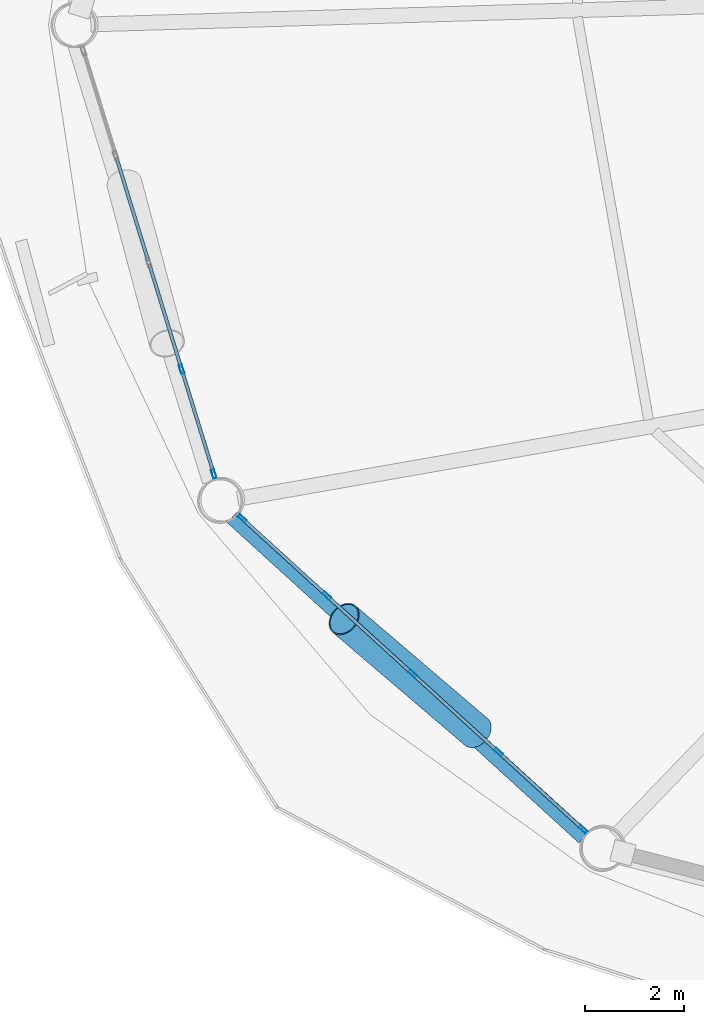
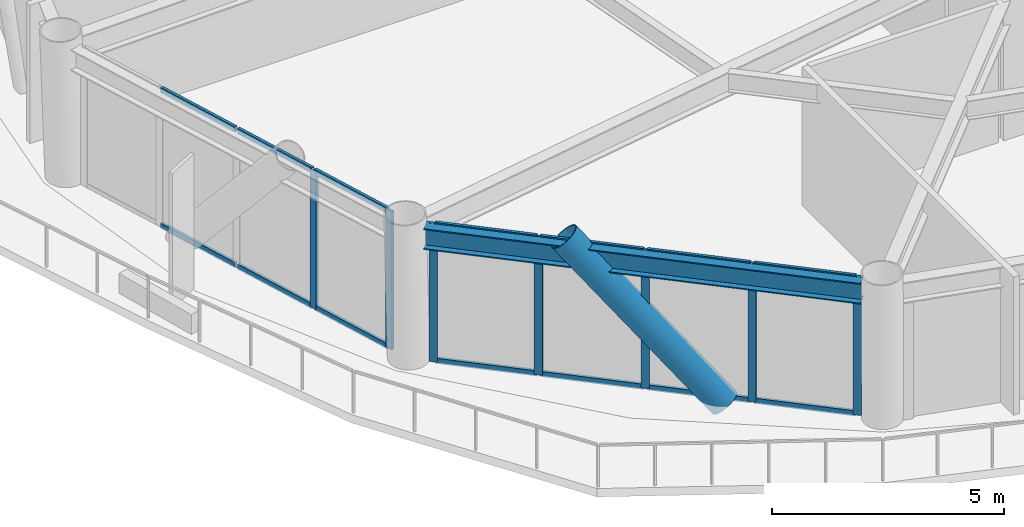
# One storey, part 2 of 25: 22 members, 1 beam, 2 elements without a shape of their own.
"""IFC4 building model written with IfcOpenShell, lengths in metres."""

from ifc_helpers import new_model, si_unit, direction, frame, origin, origin_2d, place, context, subcontext, project, spatial, hollow_rectangle, hollow_circle, i_section, extrude, material, layer, layer_set, material_profile, profile_set, type_object, element, aggregate, save


model = new_model("IFC4")

# Units and contexts
model_context = context("Model", 3, precision=1e-05, world=origin(), true_north=direction((0.0, 1.0)))
body_context = subcontext(model_context, "Body", "Model", "MODEL_VIEW")
ifc_project = project(units=[si_unit("LENGTHUNIT", "METRE"), si_unit("AREAUNIT", "SQUARE_METRE"), si_unit("VOLUMEUNIT", "CUBIC_METRE"), si_unit("PLANEANGLEUNIT", "RADIAN"), si_unit("MASSUNIT", "GRAM", prefix="KILO")], contexts=[model_context])

# Site, building, storey
site_placement = place(None, origin())
site = spatial("IfcSite", under=ifc_project, at=site_placement, CompositionType="ELEMENT")
building_placement = place(site_placement, origin())
building = spatial("IfcBuilding", under=site, at=building_placement, Name="Varnakorn Sky Granary", CompositionType="ELEMENT")
storey_placement = place(building_placement, frame((0.0, 0.0, 54.89990234375)))
storey = spatial("IfcBuildingStorey", under=building, at=storey_placement, Name="L13", CompositionType="ELEMENT", Elevation=54.89990234375)

# Beam
ifc_material_1 = material(Name="Steel S355JR", Category="steel")
ifc_material_profile_1 = material_profile(ifc_material_1, i_section(OverallWidth=0.300048828125, OverallDepth=0.550048828125, WebThickness=0.014892578125, FlangeThickness=0.029052734375, at=origin_2d()), Name="HE 550 B")
ifc_profile_set_1 = profile_set([ifc_material_profile_1], Name="Steel S355JR")
beam_type = type_object("IfcBeamType", Name="BM-SPD-Z1", PredefinedType="SPANDREL", material=ifc_profile_set_1)
beam_placement = place(storey_placement, frame((-19.578857421875, -9.97509765625, 3.364990234375), z_axis=(0.739343732642, -0.673328185213, 0.0), x_axis=(0.673328185213, 0.739343732642, 0.0)))
element("IfcBeam", 1, at=beam_placement, inside=storey, type_object=beam_type, Name="Perimeter Spandrel Ring Beam RB08 L13", PredefinedType="SPANDREL", context=body_context, shape_type="SweptSolid", body=[
    extrude(i_section(OverallWidth=0.300048828125, OverallDepth=0.550048828125, WebThickness=0.014892578125, FlangeThickness=0.029052734375, at=origin_2d()), origin(), (0.0, 0.0, 1.0), 9.6376953125),
])

# Curtain wall, members
ifc_material_2 = material(Name="Anodised Bronze Aluminium Alloy 6063-T6", Category="aluminium")
ifc_layer = layer(ifc_material_2, 0.18994140625, Name="Anodised Bronze Aluminium Alloy 6063-T6")
ifc_layer_set = layer_set([ifc_layer], Name="Anodised Bronze Aluminium Alloy 6063-T6")
curtain_wall_type = type_object("IfcCurtainWallType", Name="CW-FRM-1", PredefinedType="USERDEFINED", material=ifc_layer_set)
curtain_wall_1_placement = place(storey_placement, origin())
curtain_wall_1 = element("IfcCurtainWall", 2, at=curtain_wall_1_placement, inside=storey, type_object=curtain_wall_type, Name="Unitised Curtain Wall CW3 CW-L13-B07", ObjectType="CURTAIN WALL", PredefinedType="USERDEFINED")
ifc_material_profile_2 = material_profile(ifc_material_2, hollow_rectangle(XDim=0.070068359375, YDim=0.18505859375, WallThickness=0.00390625, at=origin_2d()), Name="ALU MULL 70x185")
ifc_profile_set_2 = profile_set([ifc_material_profile_2], Name="Anodised Bronze Aluminium Alloy 6063-T6")
member_type_1 = type_object("IfcMemberType", Name="CW-FRM-1-MULL", PredefinedType="MULLION", material=ifc_profile_set_2)
member_1_placement = place(storey_placement, frame((-19.9521484375, -9.098388671875, 0.0), z_axis=(0.0, 0.0, 1.0), x_axis=(-0.955710084945, -0.294309757797, 0.0)))
member_1 = element("IfcMember", 3, at=member_1_placement, type_object=member_type_1, Name="CW3 mullion 1", PredefinedType="MULLION", context=body_context, shape_type="SweptSolid", body=[
    extrude(hollow_rectangle(XDim=0.070068359375, YDim=0.18505859375, WallThickness=0.00390625, at=origin_2d()), origin(), (0.0, 0.0, 1.0), 3.64013671875),
])
member_2_placement = place(storey_placement, frame((-20.606689453125, -6.972412109375, 0.0), z_axis=(0.0, 0.0, 1.0), x_axis=(-0.955710084945, -0.294309757797, 0.0)))
member_2 = element("IfcMember", 4, at=member_2_placement, type_object=member_type_1, Name="CW3 mullion 2", PredefinedType="MULLION", context=body_context, shape_type="SweptSolid", body=[
    extrude(hollow_rectangle(XDim=0.070068359375, YDim=0.18505859375, WallThickness=0.00390625, at=origin_2d()), origin(), (0.0, 0.0, 1.0), 3.64013671875),
])

curtain_wall_2_placement = place(storey_placement, origin())
curtain_wall_2 = element("IfcCurtainWall", 5, at=curtain_wall_2_placement, inside=storey, type_object=curtain_wall_type, Name="Unitised Curtain Wall CW3 CW-L13-B08", ObjectType="CURTAIN WALL", PredefinedType="USERDEFINED")
member_3_placement = place(storey_placement, frame((-12.467529296875, -16.30078125, 0.0), z_axis=(0.0, 0.0, 1.0), x_axis=(-0.673686552194, -0.739017205072, 0.0)))
member_3 = element("IfcMember", 6, at=member_3_placement, type_object=member_type_1, Name="CW3 mullion 1", PredefinedType="MULLION", context=body_context, shape_type="SweptSolid", body=[
    extrude(hollow_rectangle(XDim=0.070068359375, YDim=0.18505859375, WallThickness=0.00390625, at=origin_2d()), origin(), (0.0, 0.0, 1.0), 3.64013671875),
])
member_4_placement = place(storey_placement, frame((-14.18310546875, -14.73681640625, 0.0), z_axis=(0.0, 0.0, 1.0), x_axis=(-0.673686552194, -0.739017205072, 0.0)))
member_4 = element("IfcMember", 7, at=member_4_placement, type_object=member_type_1, Name="CW3 mullion 2", PredefinedType="MULLION", context=body_context, shape_type="SweptSolid", body=[
    extrude(hollow_rectangle(XDim=0.070068359375, YDim=0.18505859375, WallThickness=0.00390625, at=origin_2d()), origin(), (0.0, 0.0, 1.0), 3.64013671875),
])
member_5_placement = place(storey_placement, frame((-15.924560546875, -13.1494140625, 0.0), z_axis=(0.0, 0.0, 1.0), x_axis=(-0.673686552194, -0.739017205072, 0.0)))
member_5 = element("IfcMember", 8, at=member_5_placement, type_object=member_type_1, Name="CW3 mullion 3", PredefinedType="MULLION", context=body_context, shape_type="SweptSolid", body=[
    extrude(hollow_rectangle(XDim=0.070068359375, YDim=0.18505859375, WallThickness=0.00390625, at=origin_2d()), origin(), (0.0, 0.0, 1.0), 3.64013671875),
])
member_6_placement = place(storey_placement, frame((-17.666015625, -11.561767578125, 0.0), z_axis=(0.0, 0.0, 1.0), x_axis=(-0.673686552194, -0.739017205072, 0.0)))
member_6 = element("IfcMember", 9, at=member_6_placement, type_object=member_type_1, Name="CW3 mullion 4", PredefinedType="MULLION", context=body_context, shape_type="SweptSolid", body=[
    extrude(hollow_rectangle(XDim=0.070068359375, YDim=0.18505859375, WallThickness=0.00390625, at=origin_2d()), origin(), (0.0, 0.0, 1.0), 3.64013671875),
])
member_7_placement = place(storey_placement, frame((-19.381591796875, -9.997802734375, 0.0), z_axis=(0.0, 0.0, 1.0), x_axis=(-0.673686552194, -0.739017205072, 0.0)))
member_7 = element("IfcMember", 10, at=member_7_placement, type_object=member_type_1, Name="CW3 mullion 5", PredefinedType="MULLION", context=body_context, shape_type="SweptSolid", body=[
    extrude(hollow_rectangle(XDim=0.070068359375, YDim=0.18505859375, WallThickness=0.00390625, at=origin_2d()), origin(), (0.0, 0.0, 1.0), 3.64013671875),
])

# Member
ifc_material_profile_3 = material_profile(ifc_material_2, hollow_rectangle(XDim=0.070068359375, YDim=0.139892578125, WallThickness=0.00341796875, at=origin_2d()), Name="ALU TRAN 70x140")
ifc_profile_set_3 = profile_set([ifc_material_profile_3], Name="Anodised Bronze Aluminium Alloy 6063-T6")
member_type_2 = type_object("IfcMemberType", Name="CW-FRM-1-TRAN", PredefinedType="USERDEFINED", material=ifc_profile_set_3)
member_8_placement = place(storey_placement, frame((-19.96240234375, -9.06494140625, 0.03515625), z_axis=(-0.294284913313, 0.95571773542, 0.0), x_axis=(-0.95571773542, -0.294284913313, 0.0)))
member_8 = element("IfcMember", 11, at=member_8_placement, type_object=member_type_2, Name="CW3 transom 1.1", ObjectType="TRANSOM", PredefinedType="USERDEFINED", context=body_context, shape_type="SweptSolid", body=[
    extrude(hollow_rectangle(XDim=0.070068359375, YDim=0.139892578125, WallThickness=0.00341796875, at=origin_2d()), origin(), (0.0, 0.0, 1.0), 2.154541015625),
])

member_9_placement = place(storey_placement, frame((-19.96240234375, -9.06494140625, 3.60498046875), z_axis=(-0.294284913313, 0.95571773542, 0.0), x_axis=(-0.95571773542, -0.294284913313, 0.0)))
member_9 = element("IfcMember", 12, at=member_9_placement, type_object=member_type_2, Name="CW3 transom 1.2", ObjectType="TRANSOM", PredefinedType="USERDEFINED", context=body_context, shape_type="SweptSolid", body=[
    extrude(hollow_rectangle(XDim=0.070068359375, YDim=0.139892578125, WallThickness=0.00341796875, at=origin_2d()), origin(), (0.0, 0.0, 1.0), 2.154541015625),
])

member_10_placement = place(storey_placement, frame((-20.6171875, -6.93896484375, 0.03515625), z_axis=(-0.294266062474, 0.955723539773, 0.0), x_axis=(-0.955723539773, -0.294266062474, 0.0)))
member_10 = element("IfcMember", 13, at=member_10_placement, type_object=member_type_2, Name="CW3 transom 2.1", ObjectType="TRANSOM", PredefinedType="USERDEFINED", context=body_context, shape_type="SweptSolid", body=[
    extrude(hollow_rectangle(XDim=0.070068359375, YDim=0.139892578125, WallThickness=0.00341796875, at=origin_2d()), origin(), (0.0, 0.0, 1.0), 2.189453125),
])

member_11_placement = place(storey_placement, frame((-20.6171875, -6.93896484375, 3.60498046875), z_axis=(-0.294266062474, 0.955723539773, 0.0), x_axis=(-0.955723539773, -0.294266062474, 0.0)))
member_11 = element("IfcMember", 14, at=member_11_placement, type_object=member_type_2, Name="CW3 transom 2.2", ObjectType="TRANSOM", PredefinedType="USERDEFINED", context=body_context, shape_type="SweptSolid", body=[
    extrude(hollow_rectangle(XDim=0.070068359375, YDim=0.139892578125, WallThickness=0.00341796875, at=origin_2d()), origin(), (0.0, 0.0, 1.0), 2.189453125),
])

member_12_placement = place(storey_placement, frame((-21.281982421875, -4.779541015625, 0.03515625), z_axis=(-0.294367908473, 0.955692175578, 0.0), x_axis=(-0.955692175578, -0.294367908473, 0.0)))
member_12 = element("IfcMember", 15, at=member_12_placement, type_object=member_type_2, Name="CW3 transom 3.1", ObjectType="TRANSOM", PredefinedType="USERDEFINED", context=body_context, shape_type="SweptSolid", body=[
    extrude(hollow_rectangle(XDim=0.070068359375, YDim=0.139892578125, WallThickness=0.00341796875, at=origin_2d()), origin(), (0.0, 0.0, 1.0), 2.189453125),
])

member_13_placement = place(storey_placement, frame((-21.281982421875, -4.779541015625, 3.60498046875), z_axis=(-0.294367908473, 0.955692175578, 0.0), x_axis=(-0.955692175578, -0.294367908473, 0.0)))
member_13 = element("IfcMember", 16, at=member_13_placement, type_object=member_type_2, Name="CW3 transom 3.2", ObjectType="TRANSOM", PredefinedType="USERDEFINED", context=body_context, shape_type="SweptSolid", body=[
    extrude(hollow_rectangle(XDim=0.070068359375, YDim=0.139892578125, WallThickness=0.00341796875, at=origin_2d()), origin(), (0.0, 0.0, 1.0), 2.189453125),
])

aggregate(curtain_wall_1, [member_1, member_2, member_8, member_9, member_10, member_11, member_12, member_13])

member_14_placement = place(storey_placement, frame((-12.493408203125, -16.27734375, 0.03515625), z_axis=(-0.738992363836, 0.673713801396, 0.0), x_axis=(-0.673713801396, -0.738992363836, 0.0)))
member_14 = element("IfcMember", 17, at=member_14_placement, type_object=member_type_2, Name="CW3 transom 1.1", ObjectType="TRANSOM", PredefinedType="USERDEFINED", context=body_context, shape_type="SweptSolid", body=[
    extrude(hollow_rectangle(XDim=0.070068359375, YDim=0.139892578125, WallThickness=0.00341796875, at=origin_2d()), origin(), (0.0, 0.0, 1.0), 2.25146484375),
])

member_15_placement = place(storey_placement, frame((-12.493408203125, -16.27734375, 3.60498046875), z_axis=(-0.738992363836, 0.673713801396, 0.0), x_axis=(-0.673713801396, -0.738992363836, 0.0)))
member_15 = element("IfcMember", 18, at=member_15_placement, type_object=member_type_2, Name="CW3 transom 1.2", ObjectType="TRANSOM", PredefinedType="USERDEFINED", context=body_context, shape_type="SweptSolid", body=[
    extrude(hollow_rectangle(XDim=0.070068359375, YDim=0.139892578125, WallThickness=0.00341796875, at=origin_2d()), origin(), (0.0, 0.0, 1.0), 2.25146484375),
])

member_16_placement = place(storey_placement, frame((-14.208984375, -14.71337890625, 0.03515625), z_axis=(-0.738973042279, 0.673734994478, 0.0), x_axis=(-0.673734994478, -0.738973042279, 0.0)))
member_16 = element("IfcMember", 19, at=member_16_placement, type_object=member_type_2, Name="CW3 transom 2.1", ObjectType="TRANSOM", PredefinedType="USERDEFINED", context=body_context, shape_type="SweptSolid", body=[
    extrude(hollow_rectangle(XDim=0.070068359375, YDim=0.139892578125, WallThickness=0.00341796875, at=origin_2d()), origin(), (0.0, 0.0, 1.0), 2.28662109375),
])

member_17_placement = place(storey_placement, frame((-14.208984375, -14.71337890625, 3.60498046875), z_axis=(-0.738973042279, 0.673734994478, 0.0), x_axis=(-0.673734994478, -0.738973042279, 0.0)))
member_17 = element("IfcMember", 20, at=member_17_placement, type_object=member_type_2, Name="CW3 transom 2.2", ObjectType="TRANSOM", PredefinedType="USERDEFINED", context=body_context, shape_type="SweptSolid", body=[
    extrude(hollow_rectangle(XDim=0.070068359375, YDim=0.139892578125, WallThickness=0.00341796875, at=origin_2d()), origin(), (0.0, 0.0, 1.0), 2.28662109375),
])

member_18_placement = place(storey_placement, frame((-15.950439453125, -13.125732421875, 0.03515625), z_axis=(-0.739026202882, 0.673676681691, 0.0), x_axis=(-0.673676681691, -0.739026202882, 0.0)))
member_18 = element("IfcMember", 21, at=member_18_placement, type_object=member_type_2, Name="CW3 transom 3.1", ObjectType="TRANSOM", PredefinedType="USERDEFINED", context=body_context, shape_type="SweptSolid", body=[
    extrude(hollow_rectangle(XDim=0.070068359375, YDim=0.139892578125, WallThickness=0.00341796875, at=origin_2d()), origin(), (0.0, 0.0, 1.0), 2.286376953125),
])

member_19_placement = place(storey_placement, frame((-15.950439453125, -13.125732421875, 3.60498046875), z_axis=(-0.739026202882, 0.673676681691, 0.0), x_axis=(-0.673676681691, -0.739026202882, 0.0)))
member_19 = element("IfcMember", 22, at=member_19_placement, type_object=member_type_2, Name="CW3 transom 3.2", ObjectType="TRANSOM", PredefinedType="USERDEFINED", context=body_context, shape_type="SweptSolid", body=[
    extrude(hollow_rectangle(XDim=0.070068359375, YDim=0.139892578125, WallThickness=0.00341796875, at=origin_2d()), origin(), (0.0, 0.0, 1.0), 2.286376953125),
])

member_20_placement = place(storey_placement, frame((-17.69189453125, -11.538330078125, 0.03515625), z_axis=(-0.738992363836, 0.673713801396, 0.0), x_axis=(-0.673713801396, -0.738992363836, 0.0)))
member_20 = element("IfcMember", 23, at=member_20_placement, type_object=member_type_2, Name="CW3 transom 4.1", ObjectType="TRANSOM", PredefinedType="USERDEFINED", context=body_context, shape_type="SweptSolid", body=[
    extrude(hollow_rectangle(XDim=0.070068359375, YDim=0.139892578125, WallThickness=0.00341796875, at=origin_2d()), origin(), (0.0, 0.0, 1.0), 2.25146484375),
])

member_21_placement = place(storey_placement, frame((-17.69189453125, -11.538330078125, 3.60498046875), z_axis=(-0.738992363836, 0.673713801396, 0.0), x_axis=(-0.673713801396, -0.738992363836, 0.0)))
member_21 = element("IfcMember", 24, at=member_21_placement, type_object=member_type_2, Name="CW3 transom 4.2", ObjectType="TRANSOM", PredefinedType="USERDEFINED", context=body_context, shape_type="SweptSolid", body=[
    extrude(hollow_rectangle(XDim=0.070068359375, YDim=0.139892578125, WallThickness=0.00341796875, at=origin_2d()), origin(), (0.0, 0.0, 1.0), 2.25146484375),
])

aggregate(curtain_wall_2, [member_3, member_4, member_5, member_6, member_7, member_14, member_15, member_16, member_17, member_18, member_19, member_20, member_21])

ifc_material_3 = material(Name="Steel S460M", Category="steel")
ifc_material_profile_4 = material_profile(ifc_material_3, hollow_circle(Radius=0.35546875, WallThickness=0.02490234375, at=origin_2d()), Name="CHS 711x25")
ifc_profile_set_4 = profile_set([ifc_material_profile_4], Name="Steel S460M")
member_type_3 = type_object("IfcMemberType", Name="MB-DIAG-T0", PredefinedType="BRACE", material=ifc_profile_set_4)
member_22_placement = place(storey_placement, frame((-14.63623046875, -14.32373046875, -0.1298828125), z_axis=(-0.50805962244, 0.433718477176, 0.744153010208), x_axis=(-0.649270210956, -0.760557817109, 0.0)))
element("IfcMember", 25, at=member_22_placement, inside=storey, type_object=member_type_3, Name="Perimeter CHS Diagrid Brace DG08 L13", PredefinedType="BRACE", context=body_context, shape_type="SweptSolid", body=[
    extrude(hollow_circle(Radius=0.35546875, WallThickness=0.02490234375, at=origin_2d()), origin(), (0.0, 0.0, 1.0), 5.267578125),
])

save(model, "model.ifc")
